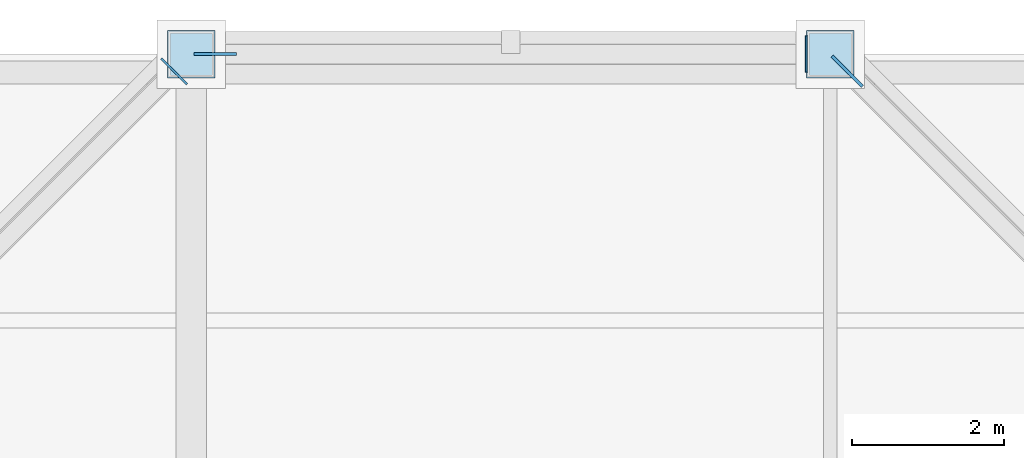
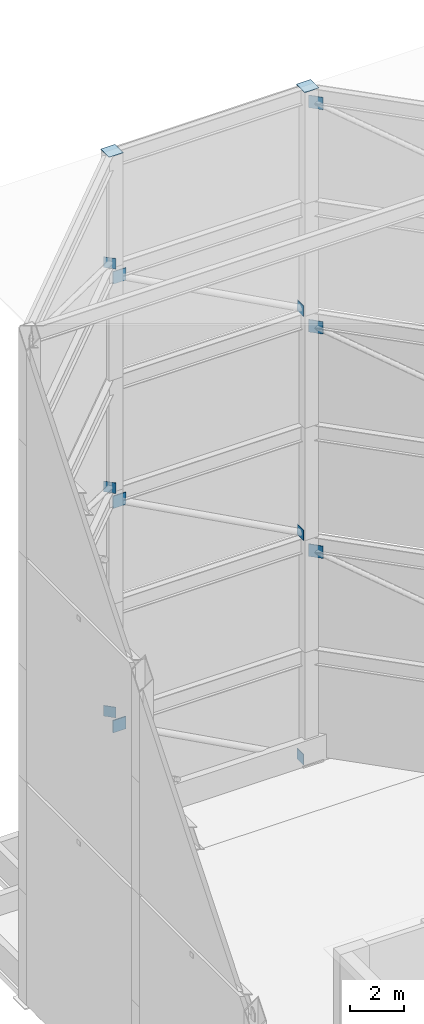
# One storey, part 14 of 17: 14 plates.
"""IFC4 building model written with IfcOpenShell, lengths in metres."""

from ifc_helpers import new_model, si_unit, direction, frame, origin, origin_2d, place, context, subcontext, project, spatial, rectangle, extrude, material, layer, layer_set, type_object, element, save


model = new_model("IFC4")

# Units and contexts
model_context = context("Model", 3, precision=1e-05, world=origin(), true_north=direction((0.0, 1.0)))
body_context = subcontext(model_context, "Body", "Model", "MODEL_VIEW")
ifc_project = project(units=[si_unit("LENGTHUNIT", "METRE"), si_unit("AREAUNIT", "SQUARE_METRE"), si_unit("VOLUMEUNIT", "CUBIC_METRE"), si_unit("PLANEANGLEUNIT", "RADIAN"), si_unit("MASSUNIT", "GRAM", prefix="KILO")], contexts=[model_context])

# Site, building, storey
site_placement = place(None, origin())
site = spatial("IfcSite", under=ifc_project, at=site_placement, CompositionType="ELEMENT")
building_placement = place(site_placement, origin())
building = spatial("IfcBuilding", under=site, at=building_placement, Name="Koriwani Terraces Tower", CompositionType="ELEMENT")
storey_placement = place(building_placement, frame((0.0, 0.0, 374.0)))
storey = spatial("IfcBuildingStorey", under=building, at=storey_placement, Name="RF", CompositionType="ELEMENT", Elevation=374.0)

# Plates
ifc_material = material(Name="Steel ASTM A572 Grade 50", Category="steel")
ifc_layer_1 = layer(ifc_material, 0.02490234375, Name="Steel ASTM A572 Grade 50")
ifc_layer_set_1 = layer_set([ifc_layer_1], Name="Steel ASTM A572 Grade 50")
plate_type_1 = type_object("IfcPlateType", Name="STEEL_CAP_PLATE_25", PredefinedType="USERDEFINED", material=ifc_layer_set_1)
for number, where, z_axis, x_axis, name in (
    (1, (25.199951171875, 75.60009765625, 30.51513671875), (0.0, 0.0, 1.0), (1.0, 0.0, 0.0), "Crown Frame Column Cap Plate EP-17"),
    (2, (16.800048828125, 75.60009765625, 30.51513671875), (0.0, 0.0, 1.0), (1.0, 0.0, 0.0), "Crown Frame Column Cap Plate EP-18"),
):
    element("IfcPlate", number, at=place(storey_placement, frame(where, z_axis=z_axis, x_axis=x_axis)), inside=storey, type_object=plate_type_1, Name=name, ObjectType="FLANGE_PLATE", PredefinedType="USERDEFINED", context=body_context, shape_type="SweptSolid", body=[
        extrude(rectangle(XDim=0.6201171875, YDim=0.6201171875, at=origin_2d()), origin(), (0.0, 0.0, 1.0), 0.02490234375),
    ])
for number, where, z_axis, x_axis, name in (
    (3, (24.884765625, 75.60009765625, -0.02099609375), (0.0, 0.0, 1.0), (-1.0, 0.0, 0.0), "Brace End Cap Plate CFBR-T1-S16"),
    (4, (16.575439453125, 75.37548828125, 5.06396484375), (0.0, 0.0, 1.0), (-0.707106781187, -0.707106781187, 0.0), "Brace End Cap Plate CFBR-T2-S17"),
    (5, (24.884765625, 75.60009765625, 10.158935546875), (0.0, 0.0, 1.0), (-1.0, 0.0, 0.0), "Brace End Cap Plate CFBR-T3-S16"),
    (6, (16.575439453125, 75.37548828125, 15.243896484375), (0.0, 0.0, 1.0), (-0.707106781187, -0.707106781187, 0.0), "Brace End Cap Plate CFBR-T4-S17"),
    (7, (24.884765625, 75.60009765625, 20.3388671875), (0.0, 0.0, 1.0), (-1.0, 0.0, 0.0), "Brace End Cap Plate CFBR-T5-S16"),
    (8, (16.575439453125, 75.37548828125, 25.424072265625), (0.0, 0.0, 1.0), (-0.707106781187, -0.707106781187, 0.0), "Brace End Cap Plate CFBR-T6-S17"),
):
    element("IfcPlate", number, at=place(storey_placement, frame(where, z_axis=z_axis, x_axis=x_axis)), inside=storey, type_object=plate_type_1, Name=name, ObjectType="FLANGE_PLATE", PredefinedType="USERDEFINED", context=body_context, shape_type="SweptSolid", body=[
        extrude(rectangle(XDim=0.02490234375, YDim=0.47998046875, at=origin_2d()), origin(), (0.0, 0.0, 1.0), 0.47998046875),
    ])
ifc_layer_2 = layer(ifc_material, 0.0400390625, Name="Steel ASTM A572 Grade 50")
ifc_layer_set_2 = layer_set([ifc_layer_2], Name="Steel ASTM A572 Grade 50")
plate_type_2 = type_object("IfcPlateType", Name="STEEL_GUSSET_PLATE_40", PredefinedType="USERDEFINED", material=ifc_layer_set_2)
for number, where, z_axis, x_axis, name in (
    (9, (17.115234375, 75.60009765625, 4.115966796875), (0.0, 0.0, 1.0), (-1.0, 0.0, 0.0), "Brace Node Gusset Plate CFBR-T1-S16"),
    (10, (25.424560546875, 75.37548828125, 9.2109375), (0.0, 0.0, 1.0), (-0.707106781187, 0.707106781187, 0.0), "Brace Node Gusset Plate CFBR-T2-S15"),
    (11, (17.115234375, 75.60009765625, 14.296142578125), (0.0, 0.0, 1.0), (-1.0, 0.0, 0.0), "Brace Node Gusset Plate CFBR-T3-S16"),
    (12, (25.424560546875, 75.37548828125, 19.39306640625), (0.0, 0.0, 1.0), (-0.707106781187, 0.707106781187, 0.0), "Brace Node Gusset Plate CFBR-T4-S15"),
    (13, (17.115234375, 75.60009765625, 24.47802734375), (0.0, 0.0, 1.0), (-1.0, 0.0, 0.0), "Brace Node Gusset Plate CFBR-T5-S16"),
    (14, (25.424560546875, 75.37548828125, 29.572998046875), (0.0, 0.0, 1.0), (-0.707106781187, 0.707106781187, 0.0), "Brace Node Gusset Plate CFBR-T6-S15"),
):
    element("IfcPlate", number, at=place(storey_placement, frame(where, z_axis=z_axis, x_axis=x_axis)), inside=storey, type_object=plate_type_2, Name=name, ObjectType="GUSSET_PLATE", PredefinedType="USERDEFINED", context=body_context, shape_type="SweptSolid", body=[
        extrude(rectangle(XDim=0.56005859375, YDim=0.0400390625, at=origin_2d()), origin(), (0.0, 0.0, 1.0), 0.56005859375),
    ])

save(model, "model.ifc")
